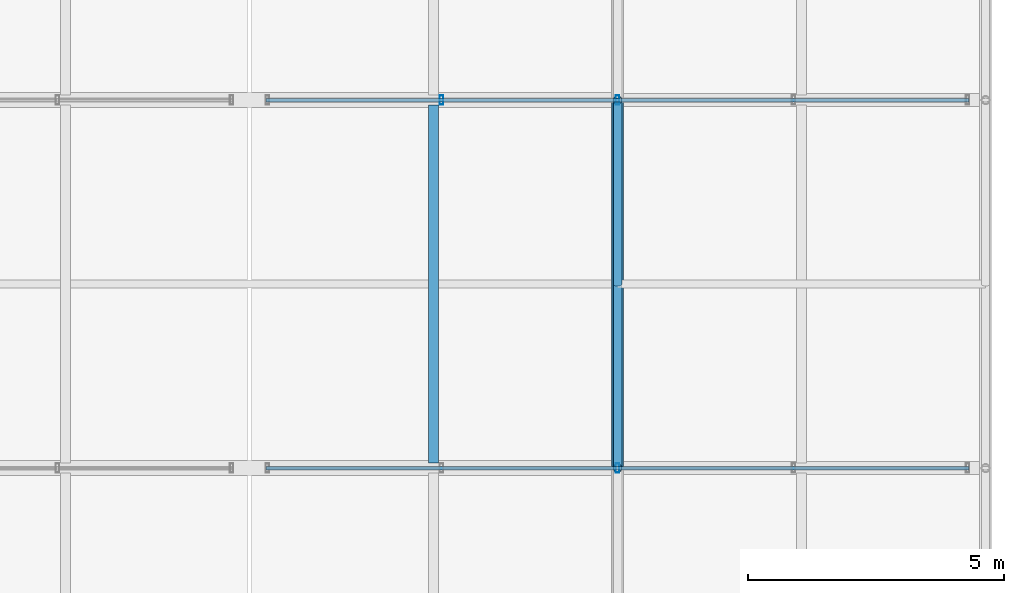
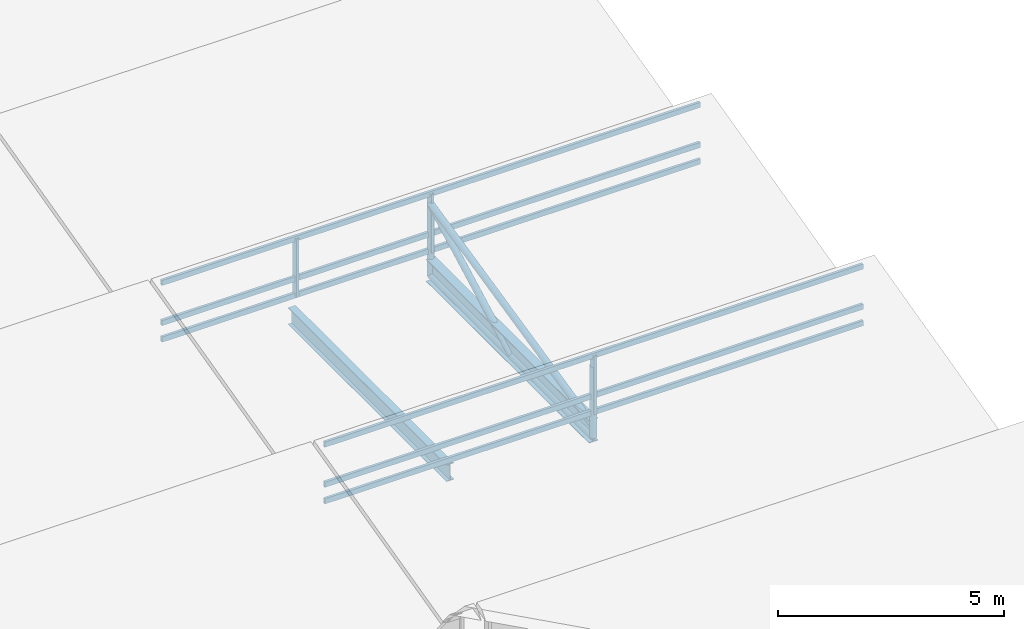
# One storey, part 75 of 144: 14 members, 2 beams, 2 elements without a shape of their own.
"""IFC4 building model written with IfcOpenShell, lengths in metres."""

from ifc_helpers import new_model, si_unit, direction, frame, origin, origin_2d, place, context, subcontext, project, spatial, hollow_rectangle, hollow_circle, i_section, extrude, material, material_profile, profile_set, type_object, element, aggregate, save


model = new_model("IFC4")

# Units and contexts
model_context = context("Model", 3, precision=1e-05, world=origin(), true_north=direction((0.0, 1.0)))
body_context = subcontext(model_context, "Body", "Model", "MODEL_VIEW")
ifc_project = project(units=[si_unit("LENGTHUNIT", "METRE"), si_unit("AREAUNIT", "SQUARE_METRE"), si_unit("VOLUMEUNIT", "CUBIC_METRE"), si_unit("PLANEANGLEUNIT", "RADIAN"), si_unit("MASSUNIT", "GRAM", prefix="KILO")], contexts=[model_context])

# Site, building, storey
site_placement = place(None, origin())
site = spatial("IfcSite", under=ifc_project, at=site_placement, CompositionType="ELEMENT")
building_placement = place(site_placement, origin())
building = spatial("IfcBuilding", under=site, at=building_placement, Name="Yarey Park Central Fire Station", CompositionType="ELEMENT")
storey_placement = place(building_placement, frame((0.0, 0.0, 10.199951171875)))
storey = spatial("IfcBuildingStorey", under=building, at=storey_placement, Name="L03", CompositionType="ELEMENT", Elevation=10.199951171875)

# Curtain wall, member
ifc_material_1 = material(Name="Anodized Aluminium Frame", Category="aluminium")
curtain_wall_type = type_object("IfcCurtainWallType", Name="ENV_CW_SAW_18", PredefinedType="NOTDEFINED", material=ifc_material_1)
curtain_wall_1_placement = place(storey_placement, origin())
curtain_wall_1 = element("IfcCurtainWall", 1, at=curtain_wall_1_placement, inside=storey, type_object=curtain_wall_type, Name="CW_L03_SAW_4_2", PredefinedType="NOTDEFINED")
ifc_material_profile_1 = material_profile(ifc_material_1, hollow_rectangle(XDim=0.070068359375, YDim=0.179931640625, WallThickness=0.00390625, at=origin_2d()), Name="ALU 180x70x4")
ifc_profile_set_1 = profile_set([ifc_material_profile_1], Name="Anodized Aluminium Frame")
member_type_1 = type_object("IfcMemberType", Name="ENV_CW_MULLION", PredefinedType="MULLION", material=ifc_profile_set_1)
member_1_placement = place(storey_placement, frame((158.39990234375, 72.0, 0.0), z_axis=(0.0, 0.0, 1.0), x_axis=(1.0, 0.0, 0.0)))
member_1 = element("IfcMember", 2, at=member_1_placement, type_object=member_type_1, Name="CW_L03_SAW_4_2_MUL3", PredefinedType="MULLION", context=body_context, shape_type="SweptSolid", body=[
    extrude(hollow_rectangle(XDim=0.070068359375, YDim=0.179931640625, WallThickness=0.00390625, at=origin_2d()), origin(), (0.0, 0.0, 1.0), 1.580078125),
])

# Curtain wall, members
curtain_wall_2_placement = place(storey_placement, origin())
curtain_wall_2 = element("IfcCurtainWall", 3, at=curtain_wall_2_placement, inside=storey, type_object=curtain_wall_type, Name="CW_L03_SAW_5_2", PredefinedType="NOTDEFINED")
member_2_placement = place(storey_placement, frame((158.39990234375, 79.199951171875, 0.0), z_axis=(0.0, 0.0, 1.0), x_axis=(1.0, 0.0, 0.0)))
member_2 = element("IfcMember", 4, at=member_2_placement, type_object=member_type_1, Name="CW_L03_SAW_5_2_MUL3", PredefinedType="MULLION", context=body_context, shape_type="SweptSolid", body=[
    extrude(hollow_rectangle(XDim=0.070068359375, YDim=0.179931640625, WallThickness=0.00390625, at=origin_2d()), origin(), (0.0, 0.0, 1.0), 1.580078125),
])
member_3_placement = place(storey_placement, frame((154.955078125, 79.199951171875, 0.0), z_axis=(0.0, 0.0, 1.0), x_axis=(1.0, 0.0, 0.0)))
member_3 = element("IfcMember", 5, at=member_3_placement, type_object=member_type_1, Name="CW_L03_SAW_5_2_MUL4", PredefinedType="MULLION", context=body_context, shape_type="SweptSolid", body=[
    extrude(hollow_rectangle(XDim=0.070068359375, YDim=0.179931640625, WallThickness=0.00390625, at=origin_2d()), origin(), (0.0, 0.0, 1.0), 1.580078125),
])

# Member
ifc_material_profile_2 = material_profile(ifc_material_1, hollow_rectangle(XDim=0.070068359375, YDim=0.139892578125, WallThickness=0.00390625, at=origin_2d()), Name="ALU 140x70x4")
ifc_profile_set_2 = profile_set([ifc_material_profile_2], Name="Anodized Aluminium Frame")
member_type_2 = type_object("IfcMemberType", Name="ENV_CW_TRANSOM", PredefinedType="USERDEFINED", material=ifc_profile_set_2)
member_4_placement = place(storey_placement, frame((165.27490234375, 72.0, 0.025146484375), z_axis=(-1.0, 0.0, 0.0), x_axis=(0.0, -1.0, 0.0)))
member_4 = element("IfcMember", 6, at=member_4_placement, type_object=member_type_2, Name="CW_L03_SAW_4_2_TRN1", ObjectType="TRANSOM", PredefinedType="USERDEFINED", context=body_context, shape_type="SweptSolid", body=[
    extrude(hollow_rectangle(XDim=0.070068359375, YDim=0.139892578125, WallThickness=0.00390625, at=origin_2d()), origin(), (0.0, 0.0, 1.0), 13.75),
])

member_5_placement = place(storey_placement, frame((165.27490234375, 72.0, 0.47412109375), z_axis=(-1.0, 0.0, 0.0), x_axis=(0.0, -1.0, 0.0)))
member_5 = element("IfcMember", 7, at=member_5_placement, type_object=member_type_2, Name="CW_L03_SAW_4_2_TRN2", ObjectType="TRANSOM", PredefinedType="USERDEFINED", context=body_context, shape_type="SweptSolid", body=[
    extrude(hollow_rectangle(XDim=0.070068359375, YDim=0.139892578125, WallThickness=0.00390625, at=origin_2d()), origin(), (0.0, 0.0, 1.0), 13.75),
])

member_6_placement = place(storey_placement, frame((165.27490234375, 72.0, 1.554931640625), z_axis=(-1.0, 0.0, 0.0), x_axis=(0.0, -1.0, 0.0)))
member_6 = element("IfcMember", 8, at=member_6_placement, type_object=member_type_2, Name="CW_L03_SAW_4_2_TRN3", ObjectType="TRANSOM", PredefinedType="USERDEFINED", context=body_context, shape_type="SweptSolid", body=[
    extrude(hollow_rectangle(XDim=0.070068359375, YDim=0.139892578125, WallThickness=0.00390625, at=origin_2d()), origin(), (0.0, 0.0, 1.0), 13.75),
])

aggregate(curtain_wall_1, [member_1, member_4, member_5, member_6])

member_7_placement = place(storey_placement, frame((165.27490234375, 79.199951171875, 0.025146484375), z_axis=(-1.0, 0.0, 0.0), x_axis=(0.0, -1.0, 0.0)))
member_7 = element("IfcMember", 9, at=member_7_placement, type_object=member_type_2, Name="CW_L03_SAW_5_2_TRN1", ObjectType="TRANSOM", PredefinedType="USERDEFINED", context=body_context, shape_type="SweptSolid", body=[
    extrude(hollow_rectangle(XDim=0.070068359375, YDim=0.139892578125, WallThickness=0.00390625, at=origin_2d()), origin(), (0.0, 0.0, 1.0), 13.75),
])

member_8_placement = place(storey_placement, frame((165.27490234375, 79.199951171875, 0.47412109375), z_axis=(-1.0, 0.0, 0.0), x_axis=(0.0, -1.0, 0.0)))
member_8 = element("IfcMember", 10, at=member_8_placement, type_object=member_type_2, Name="CW_L03_SAW_5_2_TRN2", ObjectType="TRANSOM", PredefinedType="USERDEFINED", context=body_context, shape_type="SweptSolid", body=[
    extrude(hollow_rectangle(XDim=0.070068359375, YDim=0.139892578125, WallThickness=0.00390625, at=origin_2d()), origin(), (0.0, 0.0, 1.0), 13.75),
])

member_9_placement = place(storey_placement, frame((165.27490234375, 79.199951171875, 1.554931640625), z_axis=(-1.0, 0.0, 0.0), x_axis=(0.0, -1.0, 0.0)))
member_9 = element("IfcMember", 11, at=member_9_placement, type_object=member_type_2, Name="CW_L03_SAW_5_2_TRN3", ObjectType="TRANSOM", PredefinedType="USERDEFINED", context=body_context, shape_type="SweptSolid", body=[
    extrude(hollow_rectangle(XDim=0.070068359375, YDim=0.139892578125, WallThickness=0.00390625, at=origin_2d()), origin(), (0.0, 0.0, 1.0), 13.75),
])

aggregate(curtain_wall_2, [member_2, member_3, member_7, member_8, member_9])

# Beam
ifc_material_2 = material(Name="Steel ASTM A992 Gr. 50", Category="steel")
ifc_material_profile_3 = material_profile(ifc_material_2, i_section(OverallWidth=0.22900390625, OverallDepth=0.612060546875, WebThickness=0.011962890625, FlangeThickness=0.01953125, at=origin_2d()), Name="W610x125")
ifc_profile_set_3 = profile_set([ifc_material_profile_3], Name="Steel ASTM A992 Gr. 50")
beam_type_1 = type_object("IfcBeamType", Name="STR_BM_W610", PredefinedType="BEAM", material=ifc_profile_set_3)
beam_1_placement = place(storey_placement, frame((158.39990234375, 72.0, -0.48583984375), z_axis=(0.0, 1.0, 0.0), x_axis=(-1.0, 0.0, 0.0)))
element("IfcBeam", 12, at=beam_1_placement, inside=storey, type_object=beam_type_1, Name="BMY L03 X1584 Y720", PredefinedType="BEAM", context=body_context, shape_type="SweptSolid", body=[
    extrude(i_section(OverallWidth=0.22900390625, OverallDepth=0.612060546875, WebThickness=0.011962890625, FlangeThickness=0.01953125, at=origin_2d()), origin(), (0.0, 0.0, 1.0), 7.199951171875),
])

# Members
ifc_material_3 = material(Name="Steel ASTM A500 Gr. C", Category="steel")
ifc_material_profile_4 = material_profile(ifc_material_3, hollow_circle(Radius=0.084228515625, WallThickness=0.008056640625, at=origin_2d()), Name="CHS 168.3x8")
ifc_profile_set_4 = profile_set([ifc_material_profile_4], Name="Steel ASTM A500 Gr. C")
member_type_3 = type_object("IfcMemberType", Name="STR_CHORD_CHS168", PredefinedType="CHORD", material=ifc_profile_set_4)
member_10_placement = place(storey_placement, frame((158.39990234375, 72.0, -0.64990234375), z_axis=(0.0, 1.0, 0.0), x_axis=(-1.0, 0.0, 0.0)))
element("IfcMember", 13, at=member_10_placement, inside=storey, type_object=member_type_3, Name="SAW_T3_B5_BC", PredefinedType="CHORD", context=body_context, shape_type="SweptSolid", body=[
    extrude(hollow_circle(Radius=0.084228515625, WallThickness=0.008056640625, at=origin_2d()), origin(), (0.0, 0.0, 1.0), 7.199951171875),
])
member_11_placement = place(storey_placement, frame((158.39990234375, 72.0, -0.349853515625), z_axis=(0.0, 0.975464150349, 0.220158332533), x_axis=(-1.0, 0.0, 0.0)))
element("IfcMember", 14, at=member_11_placement, inside=storey, type_object=member_type_3, Name="SAW_T3_B5_TC", PredefinedType="CHORD", context=body_context, shape_type="SweptSolid", body=[
    extrude(hollow_circle(Radius=0.084228515625, WallThickness=0.008056640625, at=origin_2d()), origin(), (0.0, 0.0, 1.0), 7.381103515625),
])

# Beam
ifc_material_profile_5 = material_profile(ifc_material_2, i_section(OverallWidth=0.18994140625, OverallDepth=0.45703125, WebThickness=0.009033203125, FlangeThickness=0.014404296875, at=origin_2d()), Name="W460x74")
ifc_profile_set_5 = profile_set([ifc_material_profile_5], Name="Steel ASTM A992 Gr. 50")
beam_type_2 = type_object("IfcBeamType", Name="STR_JST_W460", PredefinedType="JOIST", material=ifc_profile_set_5)
beam_2_placement = place(storey_placement, frame((154.800048828125, 72.094970703125, -0.408447265625), z_axis=(0.0, 1.0, 0.0), x_axis=(-1.0, 0.0, 0.0)))
element("IfcBeam", 15, at=beam_2_placement, inside=storey, type_object=beam_type_2, Name="JST L03 X1548 Y720", PredefinedType="JOIST", context=body_context, shape_type="SweptSolid", body=[
    extrude(i_section(OverallWidth=0.18994140625, OverallDepth=0.45703125, WebThickness=0.009033203125, FlangeThickness=0.014404296875, at=origin_2d()), origin(), (0.0, 0.0, 1.0), 7.010009765625),
])

# Members
ifc_material_profile_6 = material_profile(ifc_material_3, hollow_circle(Radius=0.084228515625, WallThickness=0.008056640625, at=origin_2d()), Name="CHS 168.3x8")
ifc_profile_set_6 = profile_set([ifc_material_profile_6], Name="Steel ASTM A500 Gr. C")
member_type_4 = type_object("IfcMemberType", Name="STR_WEB_CHS168", PredefinedType="BRACE", material=ifc_profile_set_6)
for number, where, z_axis, x_axis, name in (
    (16, (158.39990234375, 72.0, -0.64990234375), (0.0, 0.0, 1.0), (1.0, 0.0, 0.0), "SAW_T3_B4_VT"),
    (17, (158.39990234375, 79.199951171875, -0.64990234375), (0.0, 0.0, 1.0), (1.0, 0.0, 0.0), "SAW_T3_B5_VT"),
):
    element("IfcMember", number, at=place(storey_placement, frame(where, z_axis=z_axis, x_axis=x_axis)), inside=storey, type_object=member_type_4, Name=name, PredefinedType="BRACE", context=body_context, shape_type="SweptSolid", body=[
        extrude(hollow_circle(Radius=0.084228515625, WallThickness=0.008056640625, at=origin_2d()), origin(), (0.0, 0.0, 1.0), 1.925048828125),
    ])
member_12_placement = place(storey_placement, frame((158.39990234375, 75.60009765625, -0.64990234375), z_axis=(0.0, 0.8818309127, 0.471565733919), x_axis=(-1.0, 0.0, 0.0)))
element("IfcMember", 18, at=member_12_placement, inside=storey, type_object=member_type_4, Name="SAW_T3_B5_DG", PredefinedType="BRACE", context=body_context, shape_type="SweptSolid", body=[
    extrude(hollow_circle(Radius=0.084228515625, WallThickness=0.008056640625, at=origin_2d()), origin(), (0.0, 0.0, 1.0), 4.082275390625),
])

save(model, "model.ifc")
